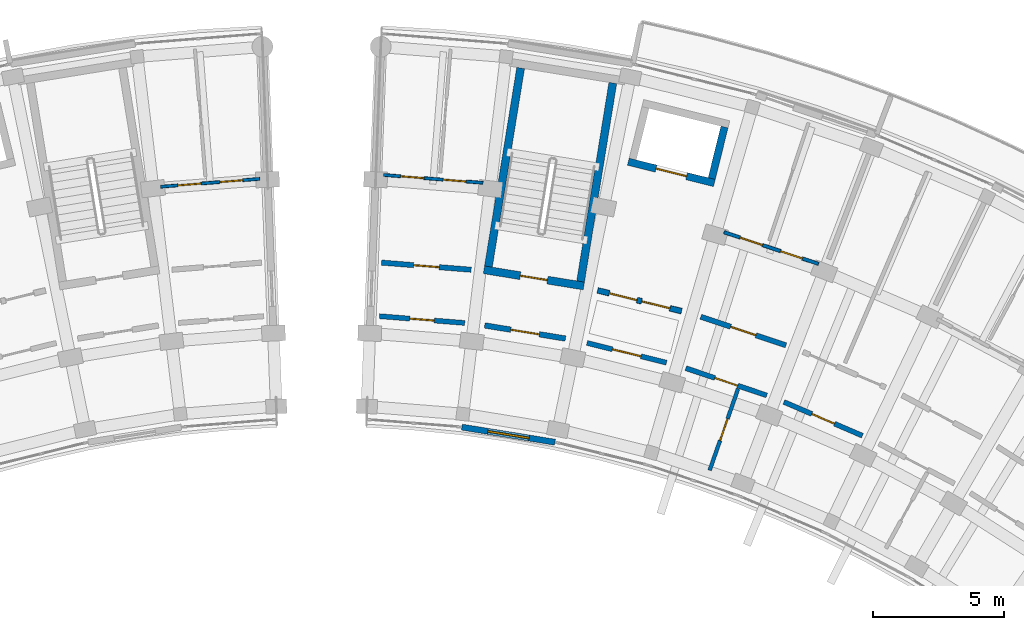
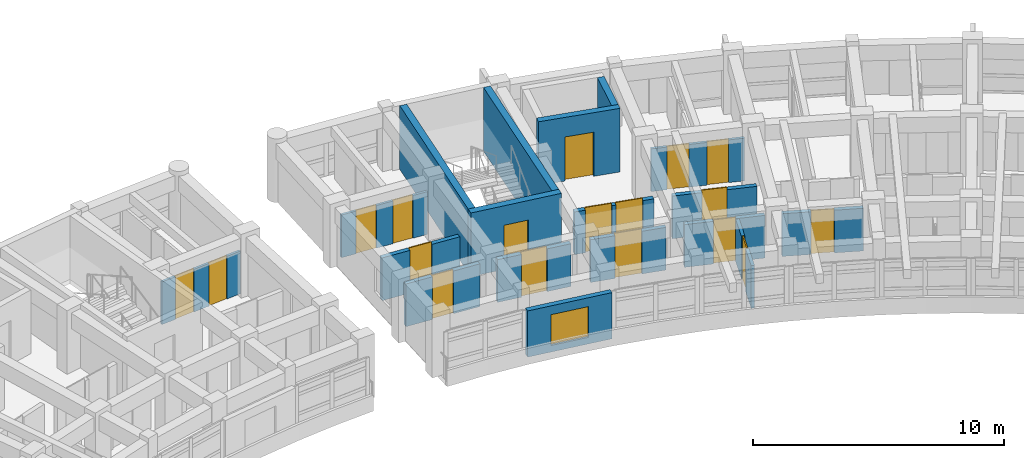
# One storey, part 47 of 70: 18 doors, 18 walls, 1 window, 19 openings.
"""IFC4 building model written with IfcOpenShell, lengths in metres."""

from ifc_helpers import new_model, si_unit, direction, frame, frame_2d, origin, place, context, subcontext, project, spatial, rectangle, extrude, material, layer, layer_set, type_object, element, fill, save


model = new_model("IFC4")

# Units and contexts
model_context = context("Model", 3, precision=1e-05, world=origin(), true_north=direction((0.0, 1.0)))
body_context = subcontext(model_context, "Body", "Model", "MODEL_VIEW")
ifc_project = project(units=[si_unit("LENGTHUNIT", "METRE"), si_unit("AREAUNIT", "SQUARE_METRE"), si_unit("VOLUMEUNIT", "CUBIC_METRE"), si_unit("PLANEANGLEUNIT", "RADIAN"), si_unit("MASSUNIT", "GRAM", prefix="KILO")], contexts=[model_context])

# Site, building, storey
site_placement = place(None, origin())
site = spatial("IfcSite", under=ifc_project, at=site_placement, CompositionType="ELEMENT")
building_placement = place(site_placement, origin())
building = spatial("IfcBuilding", under=site, at=building_placement, Name="Zimvara Arc Housing Community", CompositionType="ELEMENT")
storey_placement = place(building_placement, frame((0.0, 0.0, 8.10009765625)))
storey = spatial("IfcBuildingStorey", under=building, at=storey_placement, Name="L02", CompositionType="ELEMENT", Elevation=8.10009765625)

# Wall, opening, window
ifc_material_1 = material(Name="Board-Marked Fair-Faced Concrete C35/45", Category="concrete")
ifc_layer_1 = layer(ifc_material_1, 0.22998046875)
ifc_layer_set_1 = layer_set([ifc_layer_1], Name="Board-Marked Fair-Faced Concrete C35/45")
wall_type_1 = type_object("IfcWallType", Name="EWL-CONC-230", PredefinedType="SOLIDWALL", material=ifc_layer_set_1)
wall_1_placement = place(storey_placement, frame((50.36474609375, 88.79541015625, 0.0), z_axis=(0.0, 0.0, 1.0), x_axis=(0.987080874485, -0.160222804952, 0.0)))
wall_1 = element("IfcWall", 1, at=wall_1_placement, inside=storey, type_object=wall_type_1, Name="ewall:blkB:L02:in:b1", PredefinedType="SOLIDWALL", context=body_context, shape_type="SweptSolid", body=[
    extrude(rectangle(XDim=3.603759765625, YDim=0.22998046875, at=frame_2d((1.8017578125, 0.0))), origin(), (0.0, 0.0, 1.0), 2.25),
])
opening_1_placement = place(wall_1_placement, frame((1.001708984375, 0.0, 0.320068359375)))
opening_1 = element("IfcOpeningElement", 2, at=opening_1_placement, cuts=wall_1, Name="Opening W03", PredefinedType="OPENING", context=body_context, shape_type="SweptSolid", body=[
    extrude(rectangle(XDim=1.60009765625, YDim=1.5, at=frame_2d((0.800048828125, 0.75))), frame((0.0, 0.125, 0.0), z_axis=(0.0, -1.0, 0.0), x_axis=(1.0, 0.0, 0.0)), (0.0, 0.0, 1.0), 0.25),
])
ifc_material_2 = material(Name="Solar Control Low-E Double Glazing", Category="glass")
window_type = type_object("IfcWindowType", Name="WIN-RES-1600x1500", PartitioningType="DOUBLE_PANEL_VERTICAL", PredefinedType="WINDOW", material=ifc_material_2)
window_placement = place(opening_1_placement, origin())
window = element("IfcWindow", 3, at=window_placement, inside=storey, type_object=window_type, Name="win:blkB:L02:in:b1", OverallHeight=1.5, OverallWidth=1.60009765625, PartitioningType="DOUBLE_PANEL_VERTICAL", PredefinedType="WINDOW", context=body_context, shape_type="SweptSolid", body=[
    extrude(rectangle(XDim=1.60009765625, YDim=1.5, at=frame_2d((0.800048828125, 0.75))), frame((0.0, 0.030029296875, 0.0), z_axis=(0.0, -1.0, 0.0), x_axis=(1.0, 0.0, 0.0)), (0.0, 0.0, 1.0), 0.06005859375),
])
fill(opening_1, window)

# Wall, opening, door
ifc_material_3 = material(Name="Concrete C35/45", Category="concrete")
ifc_layer_2 = layer(ifc_material_3, 0.2099609375)
ifc_layer_set_2 = layer_set([ifc_layer_2], Name="Concrete C35/45")
wall_type_2 = type_object("IfcWallType", Name="IWL-CCF-210", PredefinedType="SOLIDWALL", material=ifc_layer_set_2)
wall_2_placement = place(storey_placement, frame((51.236328125, 92.682861328125, 0.0), z_axis=(0.0, 0.0, 1.0), x_axis=(0.98707079686, -0.160284877599, 0.0)))
wall_2 = element("IfcWall", 4, at=wall_2_placement, inside=storey, type_object=wall_type_2, Name="iwall:blkB:L02:ccf_div:b1", PredefinedType="SOLIDWALL", context=body_context, shape_type="SweptSolid", body=[
    extrude(rectangle(XDim=3.128662109375, YDim=0.2099609375, at=frame_2d((1.564453125, 0.0))), origin(), (0.0, 0.0, 1.0), 2.079833984375),
])
opening_2_placement = place(wall_2_placement, frame((1.014404296875, 0.0, 0.0)))
opening_2 = element("IfcOpeningElement", 5, at=opening_2_placement, cuts=wall_2, Name="Opening FD-CCF1", PredefinedType="OPENING", context=body_context, shape_type="SweptSolid", body=[
    extrude(rectangle(XDim=1.10009765625, YDim=2.14990234375, at=frame_2d((0.550048828125, 1.074951171875))), frame((0.0, 0.114990234375, 0.0), z_axis=(0.0, -1.0, 0.0), x_axis=(1.0, 0.0, 0.0)), (0.0, 0.0, 1.0), 0.22998046875),
])
ifc_material_4 = material(Name="Anodised Aluminium AW-6063", Category="aluminium")
door_type_1 = type_object("IfcDoorType", Name="IDR-CCF-1100x2150", OperationType="NOTDEFINED", PredefinedType="DOOR", material=ifc_material_4)
door_1_placement = place(opening_2_placement, origin())
door_1 = element("IfcDoor", 6, at=door_1_placement, inside=storey, type_object=door_type_1, Name="idoor:blkB:L02:ccf_in:b1", OperationType="SINGLE_SWING_RIGHT", OverallHeight=2.14990234375, OverallWidth=1.10009765625, PredefinedType="DOOR", context=body_context, shape_type="SweptSolid", body=[
    extrude(rectangle(XDim=1.10009765625, YDim=2.14990234375, at=frame_2d((0.550048828125, 1.074951171875))), frame((0.0, 0.02490234375, 0.0), z_axis=(0.0, -1.0, 0.0), x_axis=(1.0, 0.0, 0.0)), (0.0, 0.0, 1.0), 0.050048828125),
])
fill(opening_2, door_1)

# Wall, openings, doors
wall_3_placement = place(storey_placement, frame((55.5576171875, 94.021728515625, 0.0), z_axis=(0.0, 0.0, 1.0), x_axis=(0.970719238682, -0.240216901263, 0.0)))
wall_3 = element("IfcWall", 7, at=wall_3_placement, inside=storey, type_object=wall_type_2, Name="iwall:blkB:L02:ll_div:b2", PredefinedType="SOLIDWALL", context=body_context, shape_type="SweptSolid", body=[
    extrude(rectangle(XDim=3.2958984375, YDim=0.2099609375, at=frame_2d((1.64794921875, 0.0))), origin(), (0.0, 0.0, 1.0), 2.079833984375),
])
opening_3_placement = place(wall_3_placement, frame((0.449951171875, 0.0, 0.0)))
opening_3 = element("IfcOpeningElement", 8, at=opening_3_placement, cuts=wall_3, Name="Opening FD-CCF1", PredefinedType="OPENING", context=body_context, shape_type="SweptSolid", body=[
    extrude(rectangle(XDim=1.10009765625, YDim=2.14990234375, at=frame_2d((0.550048828125, 1.074951171875))), frame((0.0, 0.114990234375, 0.0), z_axis=(0.0, -1.0, 0.0), x_axis=(1.0, 0.0, 0.0)), (0.0, 0.0, 1.0), 0.22998046875),
])
opening_4_placement = place(wall_3_placement, frame((1.72607421875, 0.0, 0.0)))
opening_4 = element("IfcOpeningElement", 9, at=opening_4_placement, cuts=wall_3, Name="Opening D07", PredefinedType="OPENING", context=body_context, shape_type="SweptSolid", body=[
    extrude(rectangle(XDim=1.1201171875, YDim=2.14990234375, at=frame_2d((0.56005859375, 1.074951171875))), frame((0.0, 0.114990234375, 0.0), z_axis=(0.0, -1.0, 0.0), x_axis=(1.0, 0.0, 0.0)), (0.0, 0.0, 1.0), 0.22998046875),
])
ifc_material_5 = material(Name="Mozambican Hardwood", Category="wood")
door_type_2 = type_object("IfcDoorType", Name="IDR-AMN-1120x2150", OperationType="NOTDEFINED", PredefinedType="DOOR", material=ifc_material_5)
door_2_placement = place(opening_4_placement, origin())
door_2 = element("IfcDoor", 10, at=door_2_placement, inside=storey, type_object=door_type_2, Name="idoor:blkB:L02:rs_in:b2", OperationType="SINGLE_SWING_RIGHT", OverallHeight=2.14990234375, OverallWidth=1.1201171875, PredefinedType="DOOR", context=body_context, shape_type="SweptSolid", body=[
    extrude(rectangle(XDim=1.1201171875, YDim=2.14990234375, at=frame_2d((0.56005859375, 1.074951171875))), frame((0.0, 0.02490234375, 0.0), z_axis=(0.0, -1.0, 0.0), x_axis=(1.0, 0.0, 0.0)), (0.0, 0.0, 1.0), 0.050048828125),
])
fill(opening_4, door_2)
door_3_placement = place(opening_3_placement, origin())
door_3 = element("IfcDoor", 11, at=door_3_placement, inside=storey, type_object=door_type_1, Name="idoor:blkB:L02:ll_in:b2", OperationType="SINGLE_SWING_LEFT", OverallHeight=2.14990234375, OverallWidth=1.10009765625, PredefinedType="DOOR", context=body_context, shape_type="SweptSolid", body=[
    extrude(rectangle(XDim=1.10009765625, YDim=2.14990234375, at=frame_2d((0.550048828125, 1.074951171875))), frame((0.0, 0.02490234375, 0.0), z_axis=(0.0, -1.0, 0.0), x_axis=(1.0, 0.0, 0.0)), (0.0, 0.0, 1.0), 0.050048828125),
])
fill(opening_3, door_3)

# Wall, opening, door
ifc_material_6 = material(Name="Concrete C35/45", Category="concrete")
ifc_layer_3 = layer(ifc_material_6, 0.18994140625)
ifc_layer_set_3 = layer_set([ifc_layer_3], Name="Concrete C35/45")
wall_type_3 = type_object("IfcWallType", Name="IWL-CORR-190", PredefinedType="SOLIDWALL", material=ifc_layer_set_3)
wall_4_placement = place(storey_placement, frame((47.214599609375, 93.036376953125, 0.0), z_axis=(0.0, 0.0, 1.0), x_axis=(0.99686660806, -0.07910098441, 0.0)))
wall_4 = element("IfcWall", 12, at=wall_4_placement, inside=storey, type_object=wall_type_3, Name="iwall:blkB:L02:corr_in:b0", PredefinedType="SOLIDWALL", context=body_context, shape_type="SweptSolid", body=[
    extrude(rectangle(XDim=3.2685546875, YDim=0.18994140625, at=frame_2d((1.63427734375, 0.0))), origin(), (0.0, 0.0, 1.0), 2.079833984375),
])
opening_5_placement = place(wall_4_placement, frame((1.164306640625, 0.0, 0.0)))
opening_5 = element("IfcOpeningElement", 13, at=opening_5_placement, cuts=wall_4, Name="Opening D03", PredefinedType="OPENING", context=body_context, shape_type="SweptSolid", body=[
    extrude(rectangle(XDim=0.93994140625, YDim=2.10009765625, at=frame_2d((0.469970703125, 1.050048828125))), frame((0.0, 0.10498046875, 0.0), z_axis=(0.0, -1.0, 0.0), x_axis=(1.0, 0.0, 0.0)), (0.0, 0.0, 1.0), 0.2099609375),
])
ifc_material_7 = material(Name="Mozambican Hardwood", Category="wood")
door_type_3 = type_object("IfcDoorType", Name="IDR-RM-0940x2100", OperationType="NOTDEFINED", PredefinedType="DOOR", material=ifc_material_7)
door_4_placement = place(opening_5_placement, origin())
door_4 = element("IfcDoor", 14, at=door_4_placement, inside=storey, type_object=door_type_3, Name="idoor:blkB:L02:in_rm:b0", OperationType="SINGLE_SWING_RIGHT", OverallHeight=2.10009765625, OverallWidth=0.93994140625, PredefinedType="DOOR", context=body_context, shape_type="SweptSolid", body=[
    extrude(rectangle(XDim=0.93994140625, YDim=2.10009765625, at=frame_2d((0.469970703125, 1.050048828125))), frame((0.0, 0.02490234375, 0.0), z_axis=(0.0, -1.0, 0.0), x_axis=(1.0, 0.0, 0.0)), (0.0, 0.0, 1.0), 0.050048828125),
])
fill(opening_5, door_4)

wall_5_placement = place(storey_placement, frame((55.146728515625, 92.01318359375, 0.0), z_axis=(0.0, 0.0, 1.0), x_axis=(0.970727194092, -0.240184751078, 0.0)))
wall_5 = element("IfcWall", 15, at=wall_5_placement, inside=storey, type_object=wall_type_3, Name="iwall:blkB:L02:ra_div:b2", PredefinedType="SOLIDWALL", context=body_context, shape_type="SweptSolid", body=[
    extrude(rectangle(XDim=3.128662109375, YDim=0.18994140625, at=frame_2d((1.564453125, 0.0))), origin(), (0.0, 0.0, 1.0), 2.079833984375),
])
opening_6_placement = place(wall_5_placement, frame((1.00439453125, 0.0, 0.0)))
opening_6 = element("IfcOpeningElement", 16, at=opening_6_placement, cuts=wall_5, Name="Opening D07", PredefinedType="OPENING", context=body_context, shape_type="SweptSolid", body=[
    extrude(rectangle(XDim=1.1201171875, YDim=2.14990234375, at=frame_2d((0.56005859375, 1.074951171875))), frame((0.0, 0.10498046875, 0.0), z_axis=(0.0, -1.0, 0.0), x_axis=(1.0, 0.0, 0.0)), (0.0, 0.0, 1.0), 0.2099609375),
])
door_5_placement = place(opening_6_placement, origin())
door_5 = element("IfcDoor", 17, at=door_5_placement, inside=storey, type_object=door_type_2, Name="idoor:blkB:L02:ra_d:b2", OperationType="SINGLE_SWING_LEFT", OverallHeight=2.14990234375, OverallWidth=1.1201171875, PredefinedType="DOOR", context=body_context, shape_type="SweptSolid", body=[
    extrude(rectangle(XDim=1.1201171875, YDim=2.14990234375, at=frame_2d((0.56005859375, 1.074951171875))), frame((0.0, 0.02490234375, 0.0), z_axis=(0.0, -1.0, 0.0), x_axis=(1.0, 0.0, 0.0)), (0.0, 0.0, 1.0), 0.050048828125),
])
fill(opening_6, door_5)

wall_6_placement = place(storey_placement, frame((58.92333984375, 91.04931640625, 0.0), z_axis=(0.0, 0.0, 1.0), x_axis=(0.94787351033, -0.318646839643, 0.0)))
wall_6 = element("IfcWall", 18, at=wall_6_placement, inside=storey, type_object=wall_type_3, Name="iwall:blkB:L02:corr_in:b3", PredefinedType="SOLIDWALL", context=body_context, shape_type="SweptSolid", body=[
    extrude(rectangle(XDim=3.2685546875, YDim=0.18994140625, at=frame_2d((1.63427734375, 0.0))), origin(), (0.0, 0.0, 1.0), 2.079833984375),
])
opening_7_placement = place(wall_6_placement, frame((1.17431640625, 0.0, 0.0)))
opening_7 = element("IfcOpeningElement", 19, at=opening_7_placement, cuts=wall_6, Name="Opening D02", PredefinedType="OPENING", context=body_context, shape_type="SweptSolid", body=[
    extrude(rectangle(XDim=0.919921875, YDim=2.10009765625, at=frame_2d((0.4599609375, 1.050048828125))), frame((0.0, 0.10498046875, 0.0), z_axis=(0.0, -1.0, 0.0), x_axis=(1.0, 0.0, 0.0)), (0.0, 0.0, 1.0), 0.2099609375),
])
ifc_material_8 = material(Name="Mozambican Hardwood", Category="wood")
door_type_4 = type_object("IfcDoorType", Name="IDR-RM-0920x2100", OperationType="NOTDEFINED", PredefinedType="DOOR", material=ifc_material_8)
door_6_placement = place(opening_7_placement, origin())
door_6 = element("IfcDoor", 20, at=door_6_placement, inside=storey, type_object=door_type_4, Name="idoor:blkB:L02:in_rm:b3", OperationType="SINGLE_SWING_LEFT", OverallHeight=2.10009765625, OverallWidth=0.919921875, PredefinedType="DOOR", context=body_context, shape_type="SweptSolid", body=[
    extrude(rectangle(XDim=0.919921875, YDim=2.10009765625, at=frame_2d((0.4599609375, 1.050048828125))), frame((0.0, 0.02490234375, 0.0), z_axis=(0.0, -1.0, 0.0), x_axis=(1.0, 0.0, 0.0)), (0.0, 0.0, 1.0), 0.050048828125),
])
fill(opening_7, door_6)

wall_7_placement = place(storey_placement, frame((62.6748046875, 89.758056640625, 0.0), z_axis=(0.0, 0.0, 1.0), x_axis=(0.918723391052, -0.394901672235, 0.0)))
wall_7 = element("IfcWall", 21, at=wall_7_placement, inside=storey, type_object=wall_type_3, Name="iwall:blkB:L02:corr_in:b4", PredefinedType="SOLIDWALL", context=body_context, shape_type="SweptSolid", body=[
    extrude(rectangle(XDim=3.2685546875, YDim=0.18994140625, at=frame_2d((1.63427734375, 0.0))), origin(), (0.0, 0.0, 1.0), 2.079833984375),
])
opening_8_placement = place(wall_7_placement, frame((1.164306640625, 0.0, 0.0)))
opening_8 = element("IfcOpeningElement", 22, at=opening_8_placement, cuts=wall_7, Name="Opening D03", PredefinedType="OPENING", context=body_context, shape_type="SweptSolid", body=[
    extrude(rectangle(XDim=0.93994140625, YDim=2.10009765625, at=frame_2d((0.469970703125, 1.050048828125))), frame((0.0, 0.10498046875, 0.0), z_axis=(0.0, -1.0, 0.0), x_axis=(1.0, 0.0, 0.0)), (0.0, 0.0, 1.0), 0.2099609375),
])
door_7_placement = place(opening_8_placement, origin())
door_7 = element("IfcDoor", 23, at=door_7_placement, inside=storey, type_object=door_type_3, Name="idoor:blkB:L02:in_rm:b4", OperationType="SINGLE_SWING_RIGHT", OverallHeight=2.10009765625, OverallWidth=0.93994140625, PredefinedType="DOOR", context=body_context, shape_type="SweptSolid", body=[
    extrude(rectangle(XDim=0.93994140625, YDim=2.10009765625, at=frame_2d((0.469970703125, 1.050048828125))), frame((0.0, 0.02490234375, 0.0), z_axis=(0.0, -1.0, 0.0), x_axis=(1.0, 0.0, 0.0)), (0.0, 0.0, 1.0), 0.050048828125),
])
fill(opening_8, door_7)

ifc_material_9 = material(Name="Concrete C35/45", Category="concrete")
ifc_layer_4 = layer(ifc_material_9, 0.199951171875)
ifc_layer_set_4 = layer_set([ifc_layer_4], Name="Concrete C35/45")
wall_type_4 = type_object("IfcWallType", Name="IWL-CORR-200", PredefinedType="SOLIDWALL", material=ifc_layer_set_4)
wall_8_placement = place(storey_placement, frame((47.293212890625, 95.0849609375, 0.0), z_axis=(0.0, 0.0, 1.0), x_axis=(0.996862545573, -0.079152165058, 0.0)))
wall_8 = element("IfcWall", 24, at=wall_8_placement, inside=storey, type_object=wall_type_4, Name="iwall:blkB:L02:corr_out:b0", PredefinedType="SOLIDWALL", context=body_context, shape_type="SweptSolid", body=[
    extrude(rectangle(XDim=3.43603515625, YDim=0.199951171875, at=frame_2d((1.718017578125, 0.0))), origin(), (0.0, 0.0, 1.0), 2.079833984375),
])
opening_9_placement = place(wall_8_placement, frame((1.22802734375, 0.0, 0.0)))
opening_9 = element("IfcOpeningElement", 25, at=opening_9_placement, cuts=wall_8, Name="Opening FD-FL1", PredefinedType="OPENING", context=body_context, shape_type="SweptSolid", body=[
    extrude(rectangle(XDim=0.97998046875, YDim=2.14990234375, at=frame_2d((0.489990234375, 1.074951171875))), frame((0.0, 0.10986328125, 0.0), z_axis=(0.0, -1.0, 0.0), x_axis=(1.0, 0.0, 0.0)), (0.0, 0.0, 1.0), 0.219970703125),
])
ifc_material_10 = material(Name="Mozambican Hardwood", Category="wood")
door_type_5 = type_object("IfcDoorType", Name="IDR-FLAT-0980x2150", OperationType="NOTDEFINED", PredefinedType="DOOR", material=ifc_material_10)
door_8_placement = place(opening_9_placement, origin())
door_8 = element("IfcDoor", 26, at=door_8_placement, inside=storey, type_object=door_type_5, Name="idoor:blkB:L02:flat:b0", OperationType="SINGLE_SWING_LEFT", OverallHeight=2.14990234375, OverallWidth=0.97998046875, PredefinedType="DOOR", context=body_context, shape_type="SweptSolid", body=[
    extrude(rectangle(XDim=0.97998046875, YDim=2.14990234375, at=frame_2d((0.489990234375, 1.074951171875))), frame((0.0, 0.02490234375, 0.0), z_axis=(0.0, -1.0, 0.0), x_axis=(1.0, 0.0, 0.0)), (0.0, 0.0, 1.0), 0.050048828125),
])
fill(opening_9, door_8)

wall_9_placement = place(storey_placement, frame((59.49658203125, 93.017578125, 0.0), z_axis=(0.0, 0.0, 1.0), x_axis=(0.947863007629, -0.318678080151, 0.0)))
wall_9 = element("IfcWall", 27, at=wall_9_placement, inside=storey, type_object=wall_type_4, Name="iwall:blkB:L02:corr_out:b3", PredefinedType="SOLIDWALL", context=body_context, shape_type="SweptSolid", body=[
    extrude(rectangle(XDim=3.43603515625, YDim=0.199951171875, at=frame_2d((1.718017578125, 0.0))), origin(), (0.0, 0.0, 1.0), 2.079833984375),
])
opening_10_placement = place(wall_9_placement, frame((1.2080078125, 0.0, 0.0)))
opening_10 = element("IfcOpeningElement", 28, at=opening_10_placement, cuts=wall_9, Name="Opening FD-FL2", PredefinedType="OPENING", context=body_context, shape_type="SweptSolid", body=[
    extrude(rectangle(XDim=1.02001953125, YDim=2.14990234375, at=frame_2d((0.510009765625, 1.074951171875))), frame((0.0, 0.10986328125, 0.0), z_axis=(0.0, -1.0, 0.0), x_axis=(1.0, 0.0, 0.0)), (0.0, 0.0, 1.0), 0.219970703125),
])
ifc_material_11 = material(Name="Mozambican Hardwood", Category="wood")
door_type_6 = type_object("IfcDoorType", Name="IDR-FLAT-1020x2150", OperationType="NOTDEFINED", PredefinedType="DOOR", material=ifc_material_11)
door_9_placement = place(opening_10_placement, origin())
door_9 = element("IfcDoor", 29, at=door_9_placement, inside=storey, type_object=door_type_6, Name="idoor:blkB:L02:flat:b3", OperationType="SINGLE_SWING_RIGHT", OverallHeight=2.14990234375, OverallWidth=1.02001953125, PredefinedType="DOOR", context=body_context, shape_type="SweptSolid", body=[
    extrude(rectangle(XDim=1.02001953125, YDim=2.14990234375, at=frame_2d((0.510009765625, 1.074951171875))), frame((0.0, 0.02490234375, 0.0), z_axis=(0.0, -1.0, 0.0), x_axis=(1.0, 0.0, 0.0)), (0.0, 0.0, 1.0), 0.050048828125),
])
fill(opening_10, door_9)

# Wall, openings, doors
ifc_material_12 = material(Name="Painted Acoustic Plasterboard")
ifc_layer_5 = layer(ifc_material_12, 0.110107421875)
ifc_layer_set_5 = layer_set([ifc_layer_5], Name="Painted Acoustic Plasterboard")
wall_type_5 = type_object("IfcWallType", Name="IWL-PART-110", PredefinedType="PARTITIONING", material=ifc_layer_set_5)
wall_10_placement = place(storey_placement, frame((38.848388671875, 97.986083984375, 0.0), z_axis=(0.0, 0.0, 1.0), x_axis=(0.996863138536, 0.079144696778, 0.0)))
wall_10 = element("IfcWall", 30, at=wall_10_placement, inside=storey, type_object=wall_type_5, Name="iwall:blkA:L02:srv:b9", PredefinedType="PARTITIONING", context=body_context, shape_type="SweptSolid", body=[
    extrude(rectangle(XDim=3.79736328125, YDim=0.110107421875, at=frame_2d((1.898681640625, 0.0))), origin(), (0.0, 0.0, 1.0), 2.079833984375),
])
opening_11_placement = place(wall_10_placement, frame((0.64990234375, 0.0, 0.0)))
opening_11 = element("IfcOpeningElement", 31, at=opening_11_placement, cuts=wall_10, Name="Opening D01", PredefinedType="OPENING", context=body_context, shape_type="SweptSolid", body=[
    extrude(rectangle(XDim=0.89990234375, YDim=2.10009765625, at=frame_2d((0.449951171875, 1.050048828125))), frame((0.0, 0.06494140625, 0.0), z_axis=(0.0, -1.0, 0.0), x_axis=(1.0, 0.0, 0.0)), (0.0, 0.0, 1.0), 0.130126953125),
])
opening_12_placement = place(wall_10_placement, frame((2.267333984375, 0.0, 0.0)))
opening_12 = element("IfcOpeningElement", 32, at=opening_12_placement, cuts=wall_10, Name="Opening D05", PredefinedType="OPENING", context=body_context, shape_type="SweptSolid", body=[
    extrude(rectangle(XDim=0.8798828125, YDim=2.10009765625, at=frame_2d((0.43994140625, 1.050048828125))), frame((0.0, 0.06494140625, 0.0), z_axis=(0.0, -1.0, 0.0), x_axis=(1.0, 0.0, 0.0)), (0.0, 0.0, 1.0), 0.130126953125),
])
ifc_material_13 = material(Name="Mozambican Hardwood", Category="wood")
door_type_7 = type_object("IfcDoorType", Name="IDR-RM-0900x2100", OperationType="NOTDEFINED", PredefinedType="DOOR", material=ifc_material_13)
door_10_placement = place(opening_11_placement, origin())
door_10 = element("IfcDoor", 33, at=door_10_placement, inside=storey, type_object=door_type_7, Name="idoor:blkA:L02:kit_liv:b9", OperationType="SINGLE_SWING_LEFT", OverallHeight=2.10009765625, OverallWidth=0.89990234375, PredefinedType="DOOR", context=body_context, shape_type="SweptSolid", body=[
    extrude(rectangle(XDim=0.89990234375, YDim=2.10009765625, at=frame_2d((0.449951171875, 1.050048828125))), frame((0.0, 0.02490234375, 0.0), z_axis=(0.0, -1.0, 0.0), x_axis=(1.0, 0.0, 0.0)), (0.0, 0.0, 1.0), 0.050048828125),
])
fill(opening_11, door_10)
ifc_material_14 = material(Name="Mozambican Hardwood", Category="wood")
door_type_8 = type_object("IfcDoorType", Name="IDR-WC-0880x2100", OperationType="NOTDEFINED", PredefinedType="DOOR", material=ifc_material_14)
door_11_placement = place(opening_12_placement, origin())
door_11 = element("IfcDoor", 34, at=door_11_placement, inside=storey, type_object=door_type_8, Name="idoor:blkA:L02:bath_d:b9", OperationType="SINGLE_SWING_RIGHT", OverallHeight=2.10009765625, OverallWidth=0.8798828125, PredefinedType="DOOR", context=body_context, shape_type="SweptSolid", body=[
    extrude(rectangle(XDim=0.8798828125, YDim=2.10009765625, at=frame_2d((0.43994140625, 1.050048828125))), frame((0.0, 0.02490234375, 0.0), z_axis=(0.0, -1.0, 0.0), x_axis=(1.0, 0.0, 0.0)), (0.0, 0.0, 1.0), 0.050048828125),
])
fill(opening_12, door_11)

wall_11_placement = place(storey_placement, frame((47.3720703125, 98.4365234375, 0.0), z_axis=(0.0, 0.0, 1.0), x_axis=(0.996862985267, -0.079146627246, 0.0)))
wall_11 = element("IfcWall", 35, at=wall_11_placement, inside=storey, type_object=wall_type_5, Name="iwall:blkB:L02:srv:b0", PredefinedType="PARTITIONING", context=body_context, shape_type="SweptSolid", body=[
    extrude(rectangle(XDim=3.8095703125, YDim=0.110107421875, at=frame_2d((1.90478515625, 0.0))), origin(), (0.0, 0.0, 1.0), 2.079833984375),
])
opening_13_placement = place(wall_11_placement, frame((0.64990234375, 0.0, 0.0)))
opening_13 = element("IfcOpeningElement", 36, at=opening_13_placement, cuts=wall_11, Name="Opening D01", PredefinedType="OPENING", context=body_context, shape_type="SweptSolid", body=[
    extrude(rectangle(XDim=0.89990234375, YDim=2.10009765625, at=frame_2d((0.449951171875, 1.050048828125))), frame((0.0, 0.06494140625, 0.0), z_axis=(0.0, -1.0, 0.0), x_axis=(1.0, 0.0, 0.0)), (0.0, 0.0, 1.0), 0.130126953125),
])
opening_14_placement = place(wall_11_placement, frame((2.279541015625, 0.0, 0.0)))
opening_14 = element("IfcOpeningElement", 37, at=opening_14_placement, cuts=wall_11, Name="Opening D05", PredefinedType="OPENING", context=body_context, shape_type="SweptSolid", body=[
    extrude(rectangle(XDim=0.8798828125, YDim=2.10009765625, at=frame_2d((0.43994140625, 1.050048828125))), frame((0.0, 0.06494140625, 0.0), z_axis=(0.0, -1.0, 0.0), x_axis=(1.0, 0.0, 0.0)), (0.0, 0.0, 1.0), 0.130126953125),
])
door_12_placement = place(opening_13_placement, origin())
door_12 = element("IfcDoor", 38, at=door_12_placement, inside=storey, type_object=door_type_7, Name="idoor:blkB:L02:kit_liv:b0", OperationType="SINGLE_SWING_LEFT", OverallHeight=2.10009765625, OverallWidth=0.89990234375, PredefinedType="DOOR", context=body_context, shape_type="SweptSolid", body=[
    extrude(rectangle(XDim=0.89990234375, YDim=2.10009765625, at=frame_2d((0.449951171875, 1.050048828125))), frame((0.0, 0.02490234375, 0.0), z_axis=(0.0, -1.0, 0.0), x_axis=(1.0, 0.0, 0.0)), (0.0, 0.0, 1.0), 0.050048828125),
])
fill(opening_13, door_12)
door_13_placement = place(opening_14_placement, origin())
door_13 = element("IfcDoor", 39, at=door_13_placement, inside=storey, type_object=door_type_8, Name="idoor:blkB:L02:bath_d:b0", OperationType="SINGLE_SWING_RIGHT", OverallHeight=2.10009765625, OverallWidth=0.8798828125, PredefinedType="DOOR", context=body_context, shape_type="SweptSolid", body=[
    extrude(rectangle(XDim=0.8798828125, YDim=2.10009765625, at=frame_2d((0.43994140625, 1.050048828125))), frame((0.0, 0.02490234375, 0.0), z_axis=(0.0, -1.0, 0.0), x_axis=(1.0, 0.0, 0.0)), (0.0, 0.0, 1.0), 0.050048828125),
])
fill(opening_14, door_13)

ifc_material_15 = material(Name="Painted Acoustic Plasterboard")
ifc_layer_6 = layer(ifc_material_15, 0.125)
ifc_layer_set_6 = layer_set([ifc_layer_6], Name="Painted Acoustic Plasterboard")
wall_type_6 = type_object("IfcWallType", Name="IWL-PART-125", PredefinedType="PARTITIONING", material=ifc_layer_set_6)
wall_12_placement = place(storey_placement, frame((60.385986328125, 96.249755859375, 0.0), z_axis=(0.0, 0.0, 1.0), x_axis=(0.947879193428, -0.318629933725, 0.0)))
wall_12 = element("IfcWall", 40, at=wall_12_placement, inside=storey, type_object=wall_type_6, Name="iwall:blkB:L02:srv:b3", PredefinedType="PARTITIONING", context=body_context, shape_type="SweptSolid", body=[
    extrude(rectangle(XDim=3.8095703125, YDim=0.125, at=frame_2d((1.90478515625, 0.0))), origin(), (0.0, 0.0, 1.0), 2.079833984375),
])
opening_15_placement = place(wall_12_placement, frame((0.64990234375, 0.0, 0.0)))
opening_15 = element("IfcOpeningElement", 41, at=opening_15_placement, cuts=wall_12, Name="Opening D01", PredefinedType="OPENING", context=body_context, shape_type="SweptSolid", body=[
    extrude(rectangle(XDim=0.89990234375, YDim=2.10009765625, at=frame_2d((0.449951171875, 1.050048828125))), frame((0.0, 0.072509765625, 0.0), z_axis=(0.0, -1.0, 0.0), x_axis=(1.0, 0.0, 0.0)), (0.0, 0.0, 1.0), 0.14501953125),
])
opening_16_placement = place(wall_12_placement, frame((2.279541015625, 0.0, 0.0)))
opening_16 = element("IfcOpeningElement", 42, at=opening_16_placement, cuts=wall_12, Name="Opening D05", PredefinedType="OPENING", context=body_context, shape_type="SweptSolid", body=[
    extrude(rectangle(XDim=0.8798828125, YDim=2.10009765625, at=frame_2d((0.43994140625, 1.050048828125))), frame((0.0, 0.072509765625, 0.0), z_axis=(0.0, -1.0, 0.0), x_axis=(1.0, 0.0, 0.0)), (0.0, 0.0, 1.0), 0.14501953125),
])
door_14_placement = place(opening_15_placement, origin())
door_14 = element("IfcDoor", 43, at=door_14_placement, inside=storey, type_object=door_type_7, Name="idoor:blkB:L02:kit_liv:b3", OperationType="SINGLE_SWING_LEFT", OverallHeight=2.10009765625, OverallWidth=0.89990234375, PredefinedType="DOOR", context=body_context, shape_type="SweptSolid", body=[
    extrude(rectangle(XDim=0.89990234375, YDim=2.10009765625, at=frame_2d((0.449951171875, 1.050048828125))), frame((0.0, 0.02490234375, 0.0), z_axis=(0.0, -1.0, 0.0), x_axis=(1.0, 0.0, 0.0)), (0.0, 0.0, 1.0), 0.050048828125),
])
fill(opening_15, door_14)
door_15_placement = place(opening_16_placement, origin())
door_15 = element("IfcDoor", 44, at=door_15_placement, inside=storey, type_object=door_type_8, Name="idoor:blkB:L02:bath_d:b3", OperationType="SINGLE_SWING_RIGHT", OverallHeight=2.10009765625, OverallWidth=0.8798828125, PredefinedType="DOOR", context=body_context, shape_type="SweptSolid", body=[
    extrude(rectangle(XDim=0.8798828125, YDim=2.10009765625, at=frame_2d((0.43994140625, 1.050048828125))), frame((0.0, 0.02490234375, 0.0), z_axis=(0.0, -1.0, 0.0), x_axis=(1.0, 0.0, 0.0)), (0.0, 0.0, 1.0), 0.050048828125),
])
fill(opening_16, door_15)

# Wall, opening, door
ifc_material_16 = material(Name="Painted Acoustic Plasterboard")
ifc_layer_7 = layer(ifc_material_16, 0.14501953125)
ifc_layer_set_7 = layer_set([ifc_layer_7], Name="Painted Acoustic Plasterboard")
wall_type_7 = type_object("IfcWallType", Name="IWL-WET-145", PredefinedType="PARTITIONING", material=ifc_layer_set_7)
wall_13_placement = place(storey_placement, frame((59.8369140625, 87.142578125, 0.0), z_axis=(0.0, 0.0, 1.0), x_axis=(0.328629662527, 0.944458863534, 0.0)))
wall_13 = element("IfcWall", 45, at=wall_13_placement, inside=storey, type_object=wall_type_7, Name="iwall:blkB:L02:ens:b3", PredefinedType="PARTITIONING", context=body_context, shape_type="SweptSolid", body=[
    extrude(rectangle(XDim=3.300048828125, YDim=0.14501953125, at=frame_2d((1.64990234375, 0.0))), origin(), (0.0, 0.0, 1.0), 2.079833984375),
])
opening_17_placement = place(wall_13_placement, frame((1.2099609375, 0.0, 0.0)))
opening_17 = element("IfcOpeningElement", 46, at=opening_17_placement, cuts=wall_13, Name="Opening D05", PredefinedType="OPENING", context=body_context, shape_type="SweptSolid", body=[
    extrude(rectangle(XDim=0.8798828125, YDim=2.10009765625, at=frame_2d((0.43994140625, 1.050048828125))), frame((0.0, 0.08251953125, 0.0), z_axis=(0.0, -1.0, 0.0), x_axis=(1.0, 0.0, 0.0)), (0.0, 0.0, 1.0), 0.1650390625),
])
door_16_placement = place(opening_17_placement, origin())
door_16 = element("IfcDoor", 47, at=door_16_placement, inside=storey, type_object=door_type_8, Name="idoor:blkB:L02:ens_d:b3", OperationType="SINGLE_SWING_RIGHT", OverallHeight=2.10009765625, OverallWidth=0.8798828125, PredefinedType="DOOR", context=body_context, shape_type="SweptSolid", body=[
    extrude(rectangle(XDim=0.8798828125, YDim=2.10009765625, at=frame_2d((0.43994140625, 1.050048828125))), frame((0.0, 0.02490234375, 0.0), z_axis=(0.0, -1.0, 0.0), x_axis=(1.0, 0.0, 0.0)), (0.0, 0.0, 1.0), 0.050048828125),
])
fill(opening_17, door_16)

ifc_material_17 = material(Name="Concrete C40/50", Category="concrete")
ifc_layer_8 = layer(ifc_material_17, 0.280029296875)
ifc_layer_set_8 = layer_set([ifc_layer_8], Name="Concrete C40/50")
wall_type_8 = type_object("IfcWallType", Name="WL-CORE-280", PredefinedType="SHEAR", material=ifc_layer_set_8)
wall_14_placement = place(storey_placement, frame((60.017578125, 98.127685546875, 0.0), z_axis=(0.0, 0.0, 1.0), x_axis=(-0.970707542441, 0.240264160972, 0.0)))
wall_14 = element("IfcWall", 48, at=wall_14_placement, inside=storey, type_object=wall_type_8, Name="lwall:LF-B1:L02:front", PredefinedType="SHEAR", context=body_context, shape_type="SweptSolid", body=[
    extrude(rectangle(XDim=3.389892578125, YDim=0.280029296875, at=frame_2d((1.69482421875, 0.0))), origin(), (0.0, 0.0, 1.0), 3.099853515625),
])
opening_18_placement = place(wall_14_placement, frame((1.094970703125, 0.0, 0.0)))
opening_18 = element("IfcOpeningElement", 49, at=opening_18_placement, cuts=wall_14, Name="Opening LD-LF-B1", PredefinedType="OPENING", context=body_context, shape_type="SweptSolid", body=[
    extrude(rectangle(XDim=1.199951171875, YDim=2.14990234375, at=frame_2d((0.60009765625, 1.074951171875))), frame((0.0, 0.14990234375, 0.0), z_axis=(0.0, -1.0, 0.0), x_axis=(1.0, 0.0, 0.0)), (0.0, 0.0, 1.0), 0.300048828125),
])
ifc_material_18 = material(Name="Anodised Aluminium AW-6063", Category="aluminium")
door_type_9 = type_object("IfcDoorType", Name="IDR-LD-1200x2150", OperationType="DOUBLE_DOOR_SLIDING", PredefinedType="DOOR", material=ifc_material_18)
door_17_placement = place(opening_18_placement, origin())
door_17 = element("IfcDoor", 50, at=door_17_placement, inside=storey, type_object=door_type_9, Name="Lift LF-B1 Sliding Landing Door L02", OperationType="DOUBLE_DOOR_SLIDING", OverallHeight=2.14990234375, OverallWidth=1.199951171875, PredefinedType="DOOR", context=body_context, shape_type="SweptSolid", body=[
    extrude(rectangle(XDim=1.199951171875, YDim=2.14990234375, at=frame_2d((0.60009765625, 1.074951171875))), frame((0.0, 0.02490234375, 0.0), z_axis=(0.0, -1.0, 0.0), x_axis=(1.0, 0.0, 0.0)), (0.0, 0.0, 1.0), 0.050048828125),
])
fill(opening_18, door_17)

# Wall
wall_15_placement = place(storey_placement, frame((59.915283203125, 98.29736328125, 0.0), z_axis=(0.0, 0.0, 1.0), x_axis=(0.2402993748, 0.970698825832, 0.0)))
element("IfcWall", 51, at=wall_15_placement, inside=storey, type_object=wall_type_8, Name="lwall:LF-B1:L02:left", PredefinedType="SHEAR", context=body_context, shape_type="SweptSolid", body=[
    extrude(rectangle(XDim=2.030029296875, YDim=0.280029296875, at=frame_2d((1.01513671875, 0.0))), origin(), (0.0, 0.0, 1.0), 3.099853515625),
])

# Wall, opening, door
ifc_material_19 = material(Name="Concrete C40/50", Category="concrete")
ifc_layer_9 = layer(ifc_material_19, 0.300048828125)
ifc_layer_set_9 = layer_set([ifc_layer_9], Name="Concrete C40/50")
wall_type_9 = type_object("IfcWallType", Name="WL-CORE-300", PredefinedType="SHEAR", material=ifc_layer_set_9)
wall_16_placement = place(storey_placement, frame((55.026123046875, 94.1904296875, 0.0), z_axis=(0.0, 0.0, 1.0), x_axis=(-0.987077443397, 0.160243941341, 0.0)))
wall_16 = element("IfcWall", 52, at=wall_16_placement, inside=storey, type_object=wall_type_9, Name="cwall:ST-B1:L02:near", PredefinedType="SHEAR", context=body_context, shape_type="SweptSolid", body=[
    extrude(rectangle(XDim=3.869873046875, YDim=0.300048828125, at=frame_2d((1.93505859375, 0.0))), origin(), (0.0, 0.0, 1.0), 3.099853515625),
])
opening_19_placement = place(wall_16_placement, frame((1.409912109375, 0.0, 0.0)))
opening_19 = element("IfcOpeningElement", 53, at=opening_19_placement, cuts=wall_16, Name="Opening FD-ST2", PredefinedType="OPENING", context=body_context, shape_type="SweptSolid", body=[
    extrude(rectangle(XDim=1.050048828125, YDim=2.14990234375, at=frame_2d((0.52490234375, 1.074951171875))), frame((0.0, 0.159912109375, 0.0), z_axis=(0.0, -1.0, 0.0), x_axis=(1.0, 0.0, 0.0)), (0.0, 0.0, 1.0), 0.320068359375),
])
ifc_material_20 = material(Name="Anodised Aluminium AW-6063", Category="aluminium")
door_type_10 = type_object("IfcDoorType", Name="IDR-ST-1050x2150", OperationType="NOTDEFINED", PredefinedType="DOOR", material=ifc_material_20)
door_18_placement = place(opening_19_placement, origin())
door_18 = element("IfcDoor", 54, at=door_18_placement, inside=storey, type_object=door_type_10, Name="idoor:ST-B1:L02:entry", OperationType="SINGLE_SWING_RIGHT", OverallHeight=2.14990234375, OverallWidth=1.050048828125, PredefinedType="DOOR", context=body_context, shape_type="SweptSolid", body=[
    extrude(rectangle(XDim=1.050048828125, YDim=2.14990234375, at=frame_2d((0.52490234375, 1.074951171875))), frame((0.0, 0.02490234375, 0.0), z_axis=(0.0, -1.0, 0.0), x_axis=(1.0, 0.0, 0.0)), (0.0, 0.0, 1.0), 0.050048828125),
])
fill(opening_19, door_18)

# Walls
for number, where, z_axis, x_axis, name in (
    (55, (54.902099609375, 94.362548828125, 0.0), (0.0, 0.0, 1.0), (0.160227496777, 0.987080112897, 0.0), "cwall:ST-B1:L02:left"),
    (56, (51.37841796875, 94.9345703125, 0.0), (0.0, 0.0, 1.0), (0.160196564502, 0.987085133472, 0.0), "cwall:ST-B1:L02:right"),
):
    element("IfcWall", number, at=place(storey_placement, frame(where, z_axis=z_axis, x_axis=x_axis)), inside=storey, type_object=wall_type_9, Name=name, PredefinedType="SHEAR", context=body_context, shape_type="SweptSolid", body=[
        extrude(rectangle(XDim=7.690185546875, YDim=0.300048828125, at=frame_2d((3.84521484375, 0.0))), origin(), (0.0, 0.0, 1.0), 3.099853515625),
    ])

save(model, "model.ifc")
